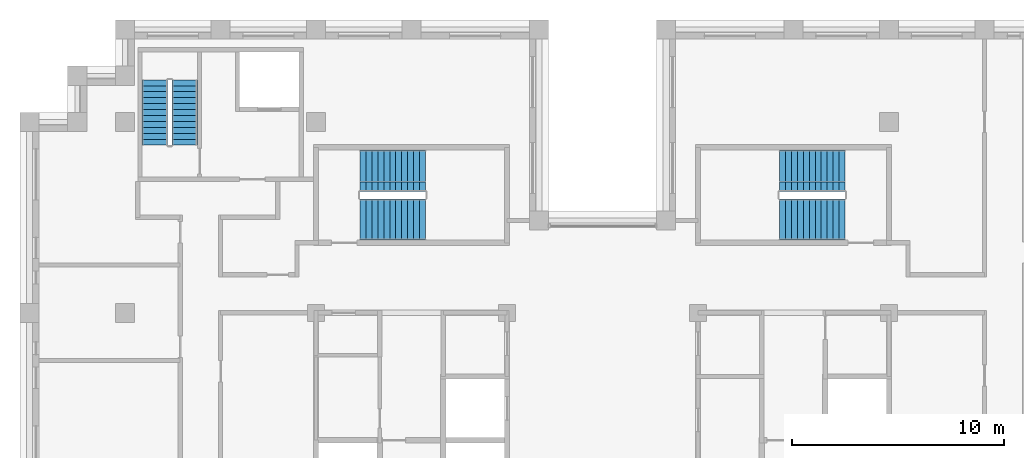
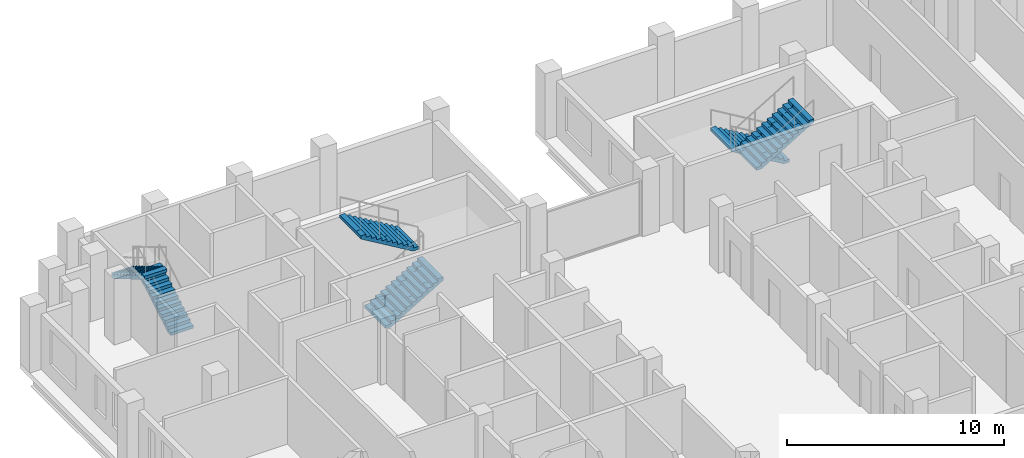
# One storey, part 12 of 13: 6 stair flights, 3 elements without a shape of their own.
"""IFC4 building model written with IfcOpenShell, lengths in metres."""

import ifcopenshell
import ifcopenshell.guid

model = None  # the IFC model being written
_history = None  # IfcOwnerHistory: only IFC2X3 demands one
_inside = {}  # id of a spatial element -> (the spatial element, [elements in it])
_under = {}  # id of a project, library or spatial element -> (it, [spatial elements below it])
_declared = {}  # id of a project -> (the project, [libraries it declares])
_typed = {}  # id of a type object -> (the type object, [elements of that type])
_made_of = {}  # id of a material, layer set ... -> (it, [elements and type objects made of it])


def new_model(schema):
    """Start an empty IFC model of exactly this schema.

    Asked for "IFC4X3", IfcOpenShell would pick the latest addendum, in which some entities
    have other attributes; the version numbers below select the first issue.
    IFC2X3 requires an IfcOwnerHistory on every rooted entity: one is made here for all.
    """
    global model, _history
    if schema == "IFC4X3":
        model = ifcopenshell.file(schema_version=(4, 3, 0, 0))
    else:
        model = ifcopenshell.file(schema=schema)
    _inside.clear()
    _under.clear()
    _declared.clear()
    _typed.clear()
    _made_of.clear()
    _history = None
    if model.schema == "IFC2X3":
        org = make("IfcOrganization", Name="unknown")
        user = make(
            "IfcPersonAndOrganization",
            ThePerson=make("IfcPerson", FamilyName="unknown"),
            TheOrganization=org,
        )
        app = make(
            "IfcApplication",
            ApplicationDeveloper=org,
            Version="unknown",
            ApplicationFullName="unknown",
            ApplicationIdentifier="unknown",
        )
        _history = make(
            "IfcOwnerHistory",
            OwningUser=user,
            OwningApplication=app,
            ChangeAction="ADDED",
            CreationDate=0,
        )
    return model


def make(cls, **values):
    """One entity of the class cls with the attributes given. An attribute that is None is left unset."""
    return model.create_entity(
        cls, **{name: value for name, value in values.items() if value is not None}
    )


def rooted(cls, **values):
    """An entity with a GlobalId (a new one), such as an element, a storey or a relation."""
    return make(cls, GlobalId=ifcopenshell.guid.new(), OwnerHistory=_history, **values)


def si_unit(unit_type, name, prefix=None):
    """IfcSIUnit, for example si_unit("LENGTHUNIT", "METRE", prefix="MILLI")."""
    return make("IfcSIUnit", UnitType=unit_type, Prefix=prefix, Name=name)


def assignment(units):
    """IfcUnitAssignment: the units of a project."""
    return None if units is None else make("IfcUnitAssignment", Units=units)


def point(xyz):
    """IfcCartesianPoint."""
    return None if xyz is None else make("IfcCartesianPoint", Coordinates=xyz)


def direction(xyz):
    """IfcDirection."""
    return None if xyz is None else make("IfcDirection", DirectionRatios=xyz)


def frame(location, z_axis=None, x_axis=None):
    """IfcAxis2Placement3D, a coordinate frame: its origin and axes. An axis left out is left unset."""
    return make(
        "IfcAxis2Placement3D",
        Location=point(location),
        Axis=direction(z_axis),
        RefDirection=direction(x_axis),
    )


def origin():
    """The frame at (0, 0, 0) with its axes left unset."""
    return frame((0.0, 0.0, 0.0))


def place(relative_to, where):
    """IfcLocalPlacement: puts the frame where relative to a parent placement (None: the world)."""
    return make(
        "IfcLocalPlacement", PlacementRelTo=relative_to, RelativePlacement=where
    )


def context(
    kind, dimensions, precision=None, world=None, true_north=None, identifier=None
):
    """IfcGeometricRepresentationContext, for example the 3D "Model" context."""
    return make(
        "IfcGeometricRepresentationContext",
        ContextIdentifier=identifier,
        ContextType=kind,
        CoordinateSpaceDimension=dimensions,
        Precision=precision,
        WorldCoordinateSystem=world,
        TrueNorth=true_north,
    )


def subcontext(parent, identifier, kind, view, scale=None):
    """IfcGeometricRepresentationSubContext, for example "Body" below "Model"."""
    return make(
        "IfcGeometricRepresentationSubContext",
        ContextIdentifier=identifier,
        ContextType=kind,
        ParentContext=parent,
        TargetScale=scale,
        TargetView=view,
    )


def project(units=None, contexts=None):
    """IfcProject with its units and contexts."""
    return rooted(
        "IfcProject",
        Name="project",
        RepresentationContexts=contexts,
        UnitsInContext=assignment(units),
    )


def spatial(cls, under=None, at=None, **own):
    """A site, building, storey or space (cls), placed at a placement, below another one or the project."""
    s = rooted(cls, ObjectPlacement=at, **own)
    if under is not None:
        _under.setdefault(under.id(), (under, []))[1].append(s)
    return s


def polyline(points):
    """IfcPolyline through the points."""
    return make("IfcPolyline", Points=[point(p) for p in points])


def outline(outer, holes=None, kind="AREA"):
    """IfcArbitraryClosedProfileDef: a profile drawn as a closed curve; with holes, ...WithVoids."""
    if holes is None:
        return make("IfcArbitraryClosedProfileDef", ProfileType=kind, OuterCurve=outer)
    return make(
        "IfcArbitraryProfileDefWithVoids",
        ProfileType=kind,
        OuterCurve=outer,
        InnerCurves=holes,
    )


def extrude(swept, where, along, depth):
    """IfcExtrudedAreaSolid: the profile swept, set in the frame where, extruded along a direction by depth."""
    return make(
        "IfcExtrudedAreaSolid",
        SweptArea=swept,
        Position=where,
        ExtrudedDirection=direction(along),
        Depth=depth,
    )


def shape(context_of_items, identifier, shape_type, items):
    """IfcShapeRepresentation: the items that make up one representation, for example the "Body"."""
    return make(
        "IfcShapeRepresentation",
        ContextOfItems=context_of_items,
        RepresentationIdentifier=identifier,
        RepresentationType=shape_type,
        Items=items,
    )


def material(Name=None, Category=None):
    """IfcMaterial."""
    return make("IfcMaterial", Name=Name, Category=Category)


def made_of(thing, what):
    """Note that an element or type object is made of a material, layer set ...; save() writes the relation."""
    if what is not None:
        _made_of.setdefault(what.id(), (what, []))[1].append(thing)
    return thing


def type_object(cls, material=None, **own):
    """A type object (cls), such as IfcWallType, which elements share."""
    return made_of(rooted(cls, **own), material)


def element(
    cls,
    number,
    at=None,
    inside=None,
    cuts=None,
    type_object=None,
    material=None,
    context=None,
    identifier="Body",
    shape_type=None,
    held_by="IfcProductDefinitionShape",
    body=None,
    shapes=None,
    **own,
):
    """One element of the class cls, such as IfcWall. Its Tag is "e" and its number.

    at: its placement. inside: the storey or other place that contains it. cuts: it is an
    opening in that element (IfcRelVoidsElement). A single representation is given by context,
    identifier, shape_type and body (its items); several are given by shapes. held_by: the class
    of the entity that holds the representations. save() writes the other relations.
    """
    e = rooted(cls, Tag="e%d" % number, ObjectPlacement=at, **own)
    if body is not None:
        shapes = [shape(context, identifier, shape_type, body)]
    if shapes is not None:
        e.Representation = make(held_by, Representations=shapes)
    if inside is not None:
        _inside.setdefault(inside.id(), (inside, []))[1].append(e)
    if cuts is not None:
        rooted(
            "IfcRelVoidsElement", RelatingBuildingElement=cuts, RelatedOpeningElement=e
        )
    if type_object is not None:
        _typed.setdefault(type_object.id(), (type_object, []))[1].append(e)
    return made_of(e, material)


def aggregate(whole, parts):
    """IfcRelAggregates: a whole, such as a stair, and the parts it consists of."""
    return rooted("IfcRelAggregates", RelatingObject=whole, RelatedObjects=parts)


def save(model, path):
    """Write the relations noted so far, then the file.

    IfcRelAggregates (storeys below a building ...), IfcRelContainedInSpatialStructure (elements
    in a storey), IfcRelDefinesByType, IfcRelAssociatesMaterial and IfcRelDeclares: one each for
    every whole, place, type object, material and project.
    """
    for whole, parts in _under.values():
        aggregate(whole, parts)
    for where, things in _inside.values():
        rooted(
            "IfcRelContainedInSpatialStructure",
            RelatedElements=things,
            RelatingStructure=where,
        )
    for kind, things in _typed.values():
        rooted("IfcRelDefinesByType", RelatedObjects=things, RelatingType=kind)
    for what, things in _made_of.values():
        rooted("IfcRelAssociatesMaterial", RelatedObjects=things, RelatingMaterial=what)
    for by, libraries in _declared.values():
        rooted("IfcRelDeclares", RelatingContext=by, RelatedDefinitions=libraries)
    model.write(path)


model = new_model("IFC4")

# Units and contexts
model_context = context("Model", 3, precision=1e-05, world=origin(), true_north=direction((0.0, 1.0)))
body_context = subcontext(model_context, "Body", "Model", "MODEL_VIEW")
ifc_project = project(units=[si_unit("LENGTHUNIT", "METRE"), si_unit("AREAUNIT", "SQUARE_METRE"), si_unit("VOLUMEUNIT", "CUBIC_METRE"), si_unit("PLANEANGLEUNIT", "RADIAN"), si_unit("MASSUNIT", "GRAM", prefix="KILO")], contexts=[model_context])

# Site, building, storey
site_placement = place(None, origin())
site = spatial("IfcSite", under=ifc_project, at=site_placement, CompositionType="ELEMENT")
building_placement = place(site_placement, origin())
building = spatial("IfcBuilding", under=site, at=building_placement, Name="Corbelhall Arena Tower", CompositionType="ELEMENT")
storey_placement = place(building_placement, frame((0.0, 0.0, 266.0)))
storey = spatial("IfcBuildingStorey", under=building, at=storey_placement, Name="L57", CompositionType="ELEMENT", Elevation=266.0)

# Stair, stair flights
ifc_material = material(Name="Concrete C40/50", Category="concrete")
stair_type = type_object("IfcStairType", Name="IN-ST-TOWER", PredefinedType="HALF_TURN_STAIR", material=ifc_material)
stair_1_placement = place(storey_placement, origin())
stair_1 = element("IfcStair", 1, at=stair_1_placement, inside=storey, type_object=stair_type, Name="L57 Exit stair ST1", PredefinedType="HALF_TURN_STAIR")
stair_flight_type = type_object("IfcStairFlightType", Name="IN-SFL-RC", PredefinedType="STRAIGHT", material=ifc_material)
stair_flight_1_placement = place(storey_placement, frame((-11.425048828125, 13.39990234375, 0.0), z_axis=(0.0, 0.0, 1.0), x_axis=(1.0, 0.0, 0.0)))
stair_flight_1 = element("IfcStairFlight", 2, at=stair_flight_1_placement, type_object=stair_flight_type, Name="ST1 flight 1", NumberOfRisers=12, NumberOfTreads=11, PredefinedType="STRAIGHT", RiserHeight=0.166666667, TreadLength=0.28, context=body_context, shape_type="SweptSolid", body=[
    extrude(outline(polyline([(0.0, 0.0), (0.0, 0.166748046875), (0.280029296875, 0.166748046875), (0.280029296875, 0.333251953125), (0.56005859375, 0.333251953125), (0.56005859375, 0.5), (0.840087890625, 0.5), (0.840087890625, 0.666748046875), (1.1201171875, 0.666748046875), (1.1201171875, 0.833251953125), (1.39990234375, 0.833251953125), (1.39990234375, 1.0), (1.679931640625, 1.0), (1.679931640625, 1.166748046875), (1.9599609375, 1.166748046875), (1.9599609375, 1.333251953125), (2.239990234375, 1.333251953125), (2.239990234375, 1.5), (2.52001953125, 1.5), (2.52001953125, 1.666748046875), (2.800048828125, 1.666748046875), (2.800048828125, 1.833251953125), (3.080078125, 1.833251953125), (3.080078125, 2.0), (3.080078125, 1.658935546875), (0.29296875, 0.0), (0.0, 0.0)])), frame((0.0, 0.97509765625, 0.0), z_axis=(0.0, -1.0, 0.0), x_axis=(1.0, 0.0, 0.0)), (0.0, 0.0, 1.0), 0.449951171875),
    extrude(outline(polyline([(0.0, 0.0), (0.0, 0.166748046875), (0.280029296875, 0.166748046875), (0.280029296875, 0.333251953125), (0.56005859375, 0.333251953125), (0.56005859375, 0.5), (0.840087890625, 0.5), (0.840087890625, 0.666748046875), (1.1201171875, 0.666748046875), (1.1201171875, 0.833251953125), (1.39990234375, 0.833251953125), (1.39990234375, 1.0), (1.679931640625, 1.0), (1.679931640625, 1.166748046875), (1.9599609375, 1.166748046875), (1.9599609375, 1.333251953125), (2.239990234375, 1.333251953125), (2.239990234375, 1.5), (2.52001953125, 1.5), (2.52001953125, 1.666748046875), (2.800048828125, 1.666748046875), (2.800048828125, 1.833251953125), (3.080078125, 1.833251953125), (3.080078125, 2.0), (3.080078125, 1.658935546875), (0.29296875, 0.0), (0.0, 0.0)])), frame((0.0, 0.52099609375, 0.0), z_axis=(0.0, -1.0, 0.0), x_axis=(1.0, 0.0, 0.0)), (0.0, 0.0, 1.0), 1.0419921875),
    extrude(outline(polyline([(0.0, 0.0), (0.0, 0.166748046875), (0.280029296875, 0.166748046875), (0.280029296875, 0.333251953125), (0.56005859375, 0.333251953125), (0.56005859375, 0.5), (0.840087890625, 0.5), (0.840087890625, 0.666748046875), (1.1201171875, 0.666748046875), (1.1201171875, 0.833251953125), (1.39990234375, 0.833251953125), (1.39990234375, 1.0), (1.679931640625, 1.0), (1.679931640625, 1.166748046875), (1.9599609375, 1.166748046875), (1.9599609375, 1.333251953125), (2.239990234375, 1.333251953125), (2.239990234375, 1.5), (2.52001953125, 1.5), (2.52001953125, 1.666748046875), (2.800048828125, 1.666748046875), (2.800048828125, 1.833251953125), (3.080078125, 1.833251953125), (3.080078125, 2.0), (3.080078125, 1.658935546875), (0.29296875, 0.0), (0.0, 0.0)])), frame((0.0, -0.52490234375, 0.0), z_axis=(0.0, -1.0, 0.0), x_axis=(1.0, 0.0, 0.0)), (0.0, 0.0, 1.0), 0.449951171875),
])
stair_flight_2_placement = place(storey_placement, frame((-8.344970703125, 15.699951171875, 2.0), z_axis=(0.0, 0.0, 1.0), x_axis=(-1.0, 0.0, 0.0)))
stair_flight_2 = element("IfcStairFlight", 3, at=stair_flight_2_placement, type_object=stair_flight_type, Name="ST1 flight 2", NumberOfRisers=12, NumberOfTreads=11, PredefinedType="STRAIGHT", RiserHeight=0.166666667, TreadLength=0.28, context=body_context, shape_type="SweptSolid", body=[
    extrude(outline(polyline([(0.0, 0.0), (0.0, 0.166748046875), (0.280029296875, 0.166748046875), (0.280029296875, 0.333251953125), (0.56005859375, 0.333251953125), (0.56005859375, 0.5), (0.840087890625, 0.5), (0.840087890625, 0.666748046875), (1.1201171875, 0.666748046875), (1.1201171875, 0.833251953125), (1.39990234375, 0.833251953125), (1.39990234375, 1.0), (1.679931640625, 1.0), (1.679931640625, 1.166748046875), (1.9599609375, 1.166748046875), (1.9599609375, 1.333251953125), (2.239990234375, 1.333251953125), (2.239990234375, 1.5), (2.52001953125, 1.5), (2.52001953125, 1.666748046875), (2.800048828125, 1.666748046875), (2.800048828125, 1.833251953125), (3.080078125, 1.833251953125), (3.080078125, 2.0), (3.080078125, 1.658935546875), (0.29296875, 0.0), (0.0, 0.0)])), frame((0.0, 0.97509765625, 0.0), z_axis=(0.0, -1.0, 0.0), x_axis=(1.0, 0.0, 0.0)), (0.0, 0.0, 1.0), 0.449951171875),
    extrude(outline(polyline([(0.0, 0.0), (0.0, 0.166748046875), (0.280029296875, 0.166748046875), (0.280029296875, 0.333251953125), (0.56005859375, 0.333251953125), (0.56005859375, 0.5), (0.840087890625, 0.5), (0.840087890625, 0.666748046875), (1.1201171875, 0.666748046875), (1.1201171875, 0.833251953125), (1.39990234375, 0.833251953125), (1.39990234375, 1.0), (1.679931640625, 1.0), (1.679931640625, 1.166748046875), (1.9599609375, 1.166748046875), (1.9599609375, 1.333251953125), (2.239990234375, 1.333251953125), (2.239990234375, 1.5), (2.52001953125, 1.5), (2.52001953125, 1.666748046875), (2.800048828125, 1.666748046875), (2.800048828125, 1.833251953125), (3.080078125, 1.833251953125), (3.080078125, 2.0), (3.080078125, 1.658935546875), (0.29296875, 0.0), (0.0, 0.0)])), frame((0.0, 0.52099609375, 0.0), z_axis=(0.0, -1.0, 0.0), x_axis=(1.0, 0.0, 0.0)), (0.0, 0.0, 1.0), 1.0419921875),
    extrude(outline(polyline([(0.0, 0.0), (0.0, 0.166748046875), (0.280029296875, 0.166748046875), (0.280029296875, 0.333251953125), (0.56005859375, 0.333251953125), (0.56005859375, 0.5), (0.840087890625, 0.5), (0.840087890625, 0.666748046875), (1.1201171875, 0.666748046875), (1.1201171875, 0.833251953125), (1.39990234375, 0.833251953125), (1.39990234375, 1.0), (1.679931640625, 1.0), (1.679931640625, 1.166748046875), (1.9599609375, 1.166748046875), (1.9599609375, 1.333251953125), (2.239990234375, 1.333251953125), (2.239990234375, 1.5), (2.52001953125, 1.5), (2.52001953125, 1.666748046875), (2.800048828125, 1.666748046875), (2.800048828125, 1.833251953125), (3.080078125, 1.833251953125), (3.080078125, 2.0), (3.080078125, 1.658935546875), (0.29296875, 0.0), (0.0, 0.0)])), frame((0.0, -0.52490234375, 0.0), z_axis=(0.0, -1.0, 0.0), x_axis=(1.0, 0.0, 0.0)), (0.0, 0.0, 1.0), 0.449951171875),
])
aggregate(stair_1, [stair_flight_1, stair_flight_2])

stair_2_placement = place(storey_placement, origin())
stair_2 = element("IfcStair", 4, at=stair_2_placement, inside=storey, type_object=stair_type, Name="L57 Exit stair ST3", PredefinedType="HALF_TURN_STAIR")
stair_flight_3_placement = place(storey_placement, frame((11.425048828125, 15.699951171875, 0.0), z_axis=(0.0, 0.0, 1.0), x_axis=(-1.0, 0.0, 0.0)))
stair_flight_3 = element("IfcStairFlight", 5, at=stair_flight_3_placement, type_object=stair_flight_type, Name="ST3 flight 1", NumberOfRisers=12, NumberOfTreads=11, PredefinedType="STRAIGHT", RiserHeight=0.166666667, TreadLength=0.28, context=body_context, shape_type="SweptSolid", body=[
    extrude(outline(polyline([(0.0, 0.0), (0.0, 0.166748046875), (0.280029296875, 0.166748046875), (0.280029296875, 0.333251953125), (0.56005859375, 0.333251953125), (0.56005859375, 0.5), (0.840087890625, 0.5), (0.840087890625, 0.666748046875), (1.1201171875, 0.666748046875), (1.1201171875, 0.833251953125), (1.39990234375, 0.833251953125), (1.39990234375, 1.0), (1.679931640625, 1.0), (1.679931640625, 1.166748046875), (1.9599609375, 1.166748046875), (1.9599609375, 1.333251953125), (2.239990234375, 1.333251953125), (2.239990234375, 1.5), (2.52001953125, 1.5), (2.52001953125, 1.666748046875), (2.800048828125, 1.666748046875), (2.800048828125, 1.833251953125), (3.080078125, 1.833251953125), (3.080078125, 2.0), (3.080078125, 1.658935546875), (0.29296875, 0.0), (0.0, 0.0)])), frame((0.0, 0.97509765625, 0.0), z_axis=(0.0, -1.0, 0.0), x_axis=(1.0, 0.0, 0.0)), (0.0, 0.0, 1.0), 0.449951171875),
    extrude(outline(polyline([(0.0, 0.0), (0.0, 0.166748046875), (0.280029296875, 0.166748046875), (0.280029296875, 0.333251953125), (0.56005859375, 0.333251953125), (0.56005859375, 0.5), (0.840087890625, 0.5), (0.840087890625, 0.666748046875), (1.1201171875, 0.666748046875), (1.1201171875, 0.833251953125), (1.39990234375, 0.833251953125), (1.39990234375, 1.0), (1.679931640625, 1.0), (1.679931640625, 1.166748046875), (1.9599609375, 1.166748046875), (1.9599609375, 1.333251953125), (2.239990234375, 1.333251953125), (2.239990234375, 1.5), (2.52001953125, 1.5), (2.52001953125, 1.666748046875), (2.800048828125, 1.666748046875), (2.800048828125, 1.833251953125), (3.080078125, 1.833251953125), (3.080078125, 2.0), (3.080078125, 1.658935546875), (0.29296875, 0.0), (0.0, 0.0)])), frame((0.0, 0.52099609375, 0.0), z_axis=(0.0, -1.0, 0.0), x_axis=(1.0, 0.0, 0.0)), (0.0, 0.0, 1.0), 1.0419921875),
    extrude(outline(polyline([(0.0, 0.0), (0.0, 0.166748046875), (0.280029296875, 0.166748046875), (0.280029296875, 0.333251953125), (0.56005859375, 0.333251953125), (0.56005859375, 0.5), (0.840087890625, 0.5), (0.840087890625, 0.666748046875), (1.1201171875, 0.666748046875), (1.1201171875, 0.833251953125), (1.39990234375, 0.833251953125), (1.39990234375, 1.0), (1.679931640625, 1.0), (1.679931640625, 1.166748046875), (1.9599609375, 1.166748046875), (1.9599609375, 1.333251953125), (2.239990234375, 1.333251953125), (2.239990234375, 1.5), (2.52001953125, 1.5), (2.52001953125, 1.666748046875), (2.800048828125, 1.666748046875), (2.800048828125, 1.833251953125), (3.080078125, 1.833251953125), (3.080078125, 2.0), (3.080078125, 1.658935546875), (0.29296875, 0.0), (0.0, 0.0)])), frame((0.0, -0.52490234375, 0.0), z_axis=(0.0, -1.0, 0.0), x_axis=(1.0, 0.0, 0.0)), (0.0, 0.0, 1.0), 0.449951171875),
])
stair_flight_4_placement = place(storey_placement, frame((8.344970703125, 13.39990234375, 2.0), z_axis=(0.0, 0.0, 1.0), x_axis=(1.0, 0.0, 0.0)))
stair_flight_4 = element("IfcStairFlight", 6, at=stair_flight_4_placement, type_object=stair_flight_type, Name="ST3 flight 2", NumberOfRisers=12, NumberOfTreads=11, PredefinedType="STRAIGHT", RiserHeight=0.166666667, TreadLength=0.28, context=body_context, shape_type="SweptSolid", body=[
    extrude(outline(polyline([(0.0, 0.0), (0.0, 0.166748046875), (0.280029296875, 0.166748046875), (0.280029296875, 0.333251953125), (0.56005859375, 0.333251953125), (0.56005859375, 0.5), (0.840087890625, 0.5), (0.840087890625, 0.666748046875), (1.1201171875, 0.666748046875), (1.1201171875, 0.833251953125), (1.39990234375, 0.833251953125), (1.39990234375, 1.0), (1.679931640625, 1.0), (1.679931640625, 1.166748046875), (1.9599609375, 1.166748046875), (1.9599609375, 1.333251953125), (2.239990234375, 1.333251953125), (2.239990234375, 1.5), (2.52001953125, 1.5), (2.52001953125, 1.666748046875), (2.800048828125, 1.666748046875), (2.800048828125, 1.833251953125), (3.080078125, 1.833251953125), (3.080078125, 2.0), (3.080078125, 1.658935546875), (0.29296875, 0.0), (0.0, 0.0)])), frame((0.0, 0.97509765625, 0.0), z_axis=(0.0, -1.0, 0.0), x_axis=(1.0, 0.0, 0.0)), (0.0, 0.0, 1.0), 0.449951171875),
    extrude(outline(polyline([(0.0, 0.0), (0.0, 0.166748046875), (0.280029296875, 0.166748046875), (0.280029296875, 0.333251953125), (0.56005859375, 0.333251953125), (0.56005859375, 0.5), (0.840087890625, 0.5), (0.840087890625, 0.666748046875), (1.1201171875, 0.666748046875), (1.1201171875, 0.833251953125), (1.39990234375, 0.833251953125), (1.39990234375, 1.0), (1.679931640625, 1.0), (1.679931640625, 1.166748046875), (1.9599609375, 1.166748046875), (1.9599609375, 1.333251953125), (2.239990234375, 1.333251953125), (2.239990234375, 1.5), (2.52001953125, 1.5), (2.52001953125, 1.666748046875), (2.800048828125, 1.666748046875), (2.800048828125, 1.833251953125), (3.080078125, 1.833251953125), (3.080078125, 2.0), (3.080078125, 1.658935546875), (0.29296875, 0.0), (0.0, 0.0)])), frame((0.0, 0.52099609375, 0.0), z_axis=(0.0, -1.0, 0.0), x_axis=(1.0, 0.0, 0.0)), (0.0, 0.0, 1.0), 1.0419921875),
    extrude(outline(polyline([(0.0, 0.0), (0.0, 0.166748046875), (0.280029296875, 0.166748046875), (0.280029296875, 0.333251953125), (0.56005859375, 0.333251953125), (0.56005859375, 0.5), (0.840087890625, 0.5), (0.840087890625, 0.666748046875), (1.1201171875, 0.666748046875), (1.1201171875, 0.833251953125), (1.39990234375, 0.833251953125), (1.39990234375, 1.0), (1.679931640625, 1.0), (1.679931640625, 1.166748046875), (1.9599609375, 1.166748046875), (1.9599609375, 1.333251953125), (2.239990234375, 1.333251953125), (2.239990234375, 1.5), (2.52001953125, 1.5), (2.52001953125, 1.666748046875), (2.800048828125, 1.666748046875), (2.800048828125, 1.833251953125), (3.080078125, 1.833251953125), (3.080078125, 2.0), (3.080078125, 1.658935546875), (0.29296875, 0.0), (0.0, 0.0)])), frame((0.0, -0.52490234375, 0.0), z_axis=(0.0, -1.0, 0.0), x_axis=(1.0, 0.0, 0.0)), (0.0, 0.0, 1.0), 0.449951171875),
])
aggregate(stair_2, [stair_flight_3, stair_flight_4])

stair_3_placement = place(storey_placement, origin())
stair_3 = element("IfcStair", 7, at=stair_3_placement, inside=storey, type_object=stair_type, Name="L57 Exit stair ST5", PredefinedType="HALF_TURN_STAIR")
stair_flight_5_placement = place(storey_placement, frame((-19.695068359375, 16.89990234375, 0.0), z_axis=(0.0, 0.0, 1.0), x_axis=(0.0, 1.0, 0.0)))
stair_flight_5 = element("IfcStairFlight", 8, at=stair_flight_5_placement, type_object=stair_flight_type, Name="ST5 flight 1", NumberOfRisers=12, NumberOfTreads=11, PredefinedType="STRAIGHT", RiserHeight=0.166666667, TreadLength=0.28, context=body_context, shape_type="SweptSolid", body=[
    extrude(outline(polyline([(0.0, 0.0), (0.0, 0.166748046875), (0.280029296875, 0.166748046875), (0.280029296875, 0.333251953125), (0.56005859375, 0.333251953125), (0.56005859375, 0.5), (0.840087890625, 0.5), (0.840087890625, 0.666748046875), (1.1201171875, 0.666748046875), (1.1201171875, 0.833251953125), (1.39990234375, 0.833251953125), (1.39990234375, 1.0), (1.679931640625, 1.0), (1.679931640625, 1.166748046875), (1.9599609375, 1.166748046875), (1.9599609375, 1.333251953125), (2.239990234375, 1.333251953125), (2.239990234375, 1.5), (2.52001953125, 1.5), (2.52001953125, 1.666748046875), (2.800048828125, 1.666748046875), (2.800048828125, 1.833251953125), (3.080078125, 1.833251953125), (3.080078125, 2.0), (3.080078125, 1.658935546875), (0.29296875, 0.0), (0.0, 0.0)])), frame((0.0, 0.60009765625, 0.0), z_axis=(0.0, -1.0, 0.0), x_axis=(1.0, 0.0, 0.0)), (0.0, 0.0, 1.0), 1.199951171875),
])
stair_flight_6_placement = place(storey_placement, frame((-21.094970703125, 19.97998046875, 2.0), z_axis=(0.0, 0.0, 1.0), x_axis=(0.0, -1.0, 0.0)))
stair_flight_6 = element("IfcStairFlight", 9, at=stair_flight_6_placement, type_object=stair_flight_type, Name="ST5 flight 2", NumberOfRisers=12, NumberOfTreads=11, PredefinedType="STRAIGHT", RiserHeight=0.166666667, TreadLength=0.28, context=body_context, shape_type="SweptSolid", body=[
    extrude(outline(polyline([(0.0, 0.0), (0.0, 0.166748046875), (0.280029296875, 0.166748046875), (0.280029296875, 0.333251953125), (0.56005859375, 0.333251953125), (0.56005859375, 0.5), (0.840087890625, 0.5), (0.840087890625, 0.666748046875), (1.1201171875, 0.666748046875), (1.1201171875, 0.833251953125), (1.39990234375, 0.833251953125), (1.39990234375, 1.0), (1.679931640625, 1.0), (1.679931640625, 1.166748046875), (1.9599609375, 1.166748046875), (1.9599609375, 1.333251953125), (2.239990234375, 1.333251953125), (2.239990234375, 1.5), (2.52001953125, 1.5), (2.52001953125, 1.666748046875), (2.800048828125, 1.666748046875), (2.800048828125, 1.833251953125), (3.080078125, 1.833251953125), (3.080078125, 2.0), (3.080078125, 1.658935546875), (0.29296875, 0.0), (0.0, 0.0)])), frame((0.0, 0.60009765625, 0.0), z_axis=(0.0, -1.0, 0.0), x_axis=(1.0, 0.0, 0.0)), (0.0, 0.0, 1.0), 1.199951171875),
])
aggregate(stair_3, [stair_flight_5, stair_flight_6])

save(model, "model.ifc")
